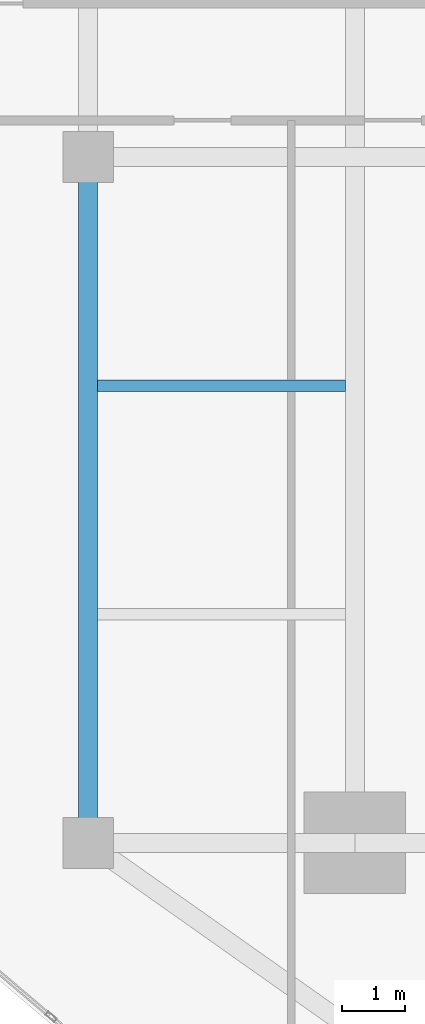
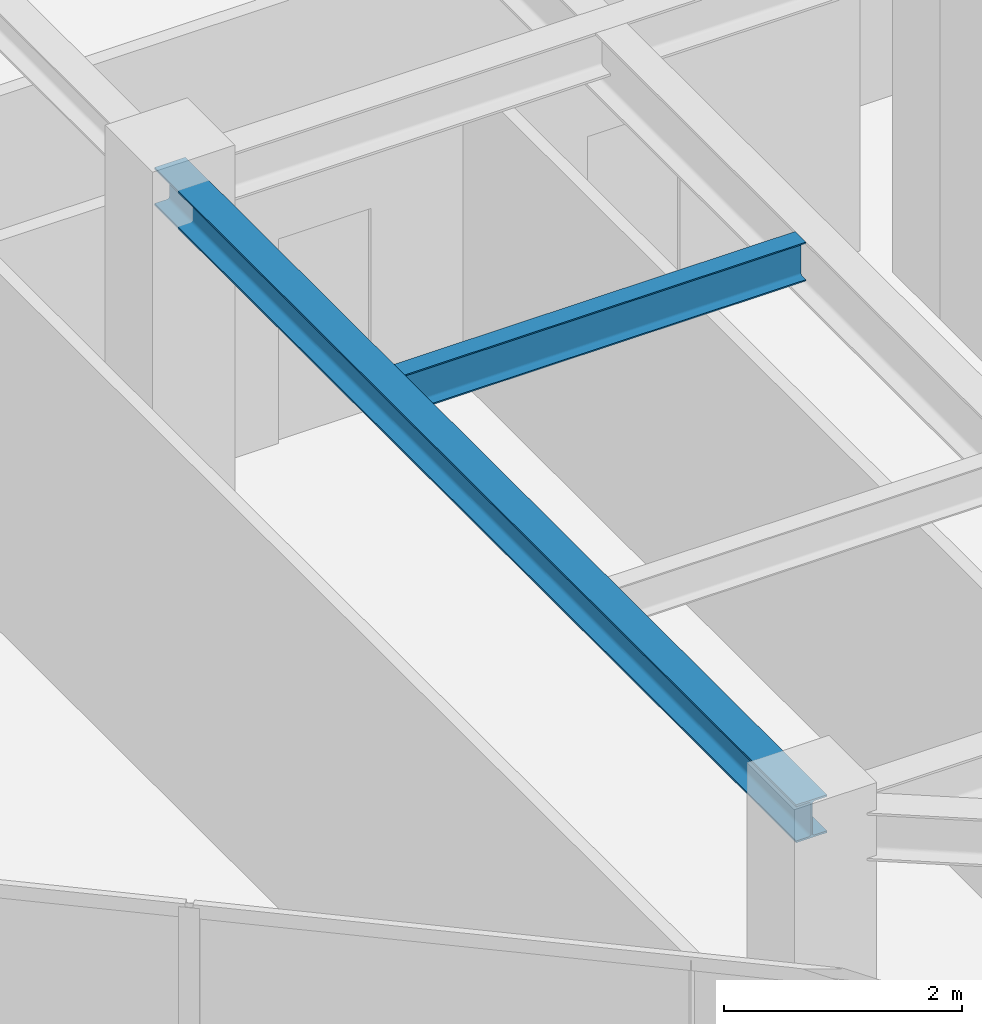
# One storey, part 7 of 25: 2 beams.
"""IFC4 building model written with IfcOpenShell, lengths in metres."""

from ifc_helpers import new_model, si_unit, direction, frame, origin, origin_2d, place, context, subcontext, project, spatial, i_section, extrude, source, transform, mapped, material, material_profile, profile_set, type_object, type_shapes, element, save


model = new_model("IFC4")

# Units and contexts
model_context = context("Model", 3, precision=1e-05, world=origin(), true_north=direction((0.0, 1.0)))
body_context = subcontext(model_context, "Body", "Model", "MODEL_VIEW")
ifc_project = project(units=[si_unit("LENGTHUNIT", "METRE"), si_unit("AREAUNIT", "SQUARE_METRE"), si_unit("VOLUMEUNIT", "CUBIC_METRE"), si_unit("PLANEANGLEUNIT", "RADIAN"), si_unit("MASSUNIT", "GRAM", prefix="KILO")], contexts=[model_context])

# Site, building, storey
site_placement = place(None, origin())
site = spatial("IfcSite", under=ifc_project, at=site_placement, CompositionType="ELEMENT")
building_placement = place(site_placement, origin())
building = spatial("IfcBuilding", under=site, at=building_placement, Name="Krantzveldt Concourse Tower", CompositionType="ELEMENT")
storey_placement = place(building_placement, frame((0.0, 0.0, 211.25)))
storey = spatial("IfcBuildingStorey", under=building, at=storey_placement, Name="L51", CompositionType="ELEMENT", Elevation=211.25)

# Beams
ifc_material = material(Name="Steel S355JR", Category="steel")
ifc_material_profile_1 = material_profile(ifc_material, i_section(OverallWidth=0.300048828125, OverallDepth=0.389892578125, WebThickness=0.010986328125, FlangeThickness=0.01904296875, FilletRadius=0.027099609375, at=origin_2d()), Name="Steel S355JR", Category="steel")
ifc_profile_set_1 = profile_set([ifc_material_profile_1], Name="Steel S355JR - HEA 400")
beam_type_1 = type_object("IfcBeamType", Name="BM-SP-HEA400", PredefinedType="SPANDREL", material=ifc_profile_set_1)
shared_shape_1 = source(origin(), body_context, "Body", "SweptSolid", [
    extrude(i_section(OverallWidth=0.300048828125, OverallDepth=0.389892578125, WebThickness=0.010986328125, FlangeThickness=0.01904296875, FilletRadius=0.027099609375, at=origin_2d()), origin(), (0.0, 0.0, 1.0), 10.800048828125),
])
type_shapes(beam_type_1, [shared_shape_1])
beam_1_placement = place(storey_placement, frame((21.0, 15.89990234375, 3.47509765625), z_axis=(0.0, 1.0, 0.0), x_axis=(-1.0, 0.0, 0.0)))
element("IfcBeam", 1, at=beam_1_placement, inside=storey, type_object=beam_type_1, Name="L51 Tower Girder SP-R01", PredefinedType="SPANDREL", context=body_context, shape_type="MappedRepresentation", body=[
    mapped(shared_shape_1, transform((0.0, 0.0, 0.0), x_axis=(1.0, 0.0, 0.0), y_axis=(0.0, 1.0, 0.0), z_axis=(0.0, 0.0, 1.0), scale=1.0)),
])
ifc_material_profile_2 = material_profile(ifc_material, i_section(OverallWidth=0.179931640625, OverallDepth=0.39990234375, WebThickness=0.008544921875, FlangeThickness=0.013427734375, FilletRadius=0.02099609375, at=origin_2d()), Name="Steel S355JR", Category="steel")
ifc_profile_set_2 = profile_set([ifc_material_profile_2], Name="Steel S355JR - IPE 400")
beam_type_2 = type_object("IfcBeamType", Name="BM-J-IPE400", PredefinedType="JOIST", material=ifc_profile_set_2)
shared_shape_2 = source(origin(), body_context, "Body", "SweptSolid", [
    extrude(i_section(OverallWidth=0.179931640625, OverallDepth=0.39990234375, WebThickness=0.008544921875, FlangeThickness=0.013427734375, FilletRadius=0.02099609375, at=origin_2d()), origin(), (0.0, 0.0, 1.0), 3.900146484375),
])
type_shapes(beam_type_2, [shared_shape_2])
beam_2_placement = place(storey_placement, frame((21.14990234375, 23.10009765625, 3.469970703125), z_axis=(1.0, 0.0, 0.0), x_axis=(0.0, 1.0, 0.0)))
element("IfcBeam", 2, at=beam_2_placement, inside=storey, type_object=beam_type_2, Name="L51 Secondary Floor Joist JW-2", PredefinedType="JOIST", context=body_context, shape_type="MappedRepresentation", body=[
    mapped(shared_shape_2, transform((0.0, 0.0, 0.0), x_axis=(1.0, 0.0, 0.0), y_axis=(0.0, 1.0, 0.0), z_axis=(0.0, 0.0, 1.0), scale=1.0)),
])

save(model, "model.ifc")
